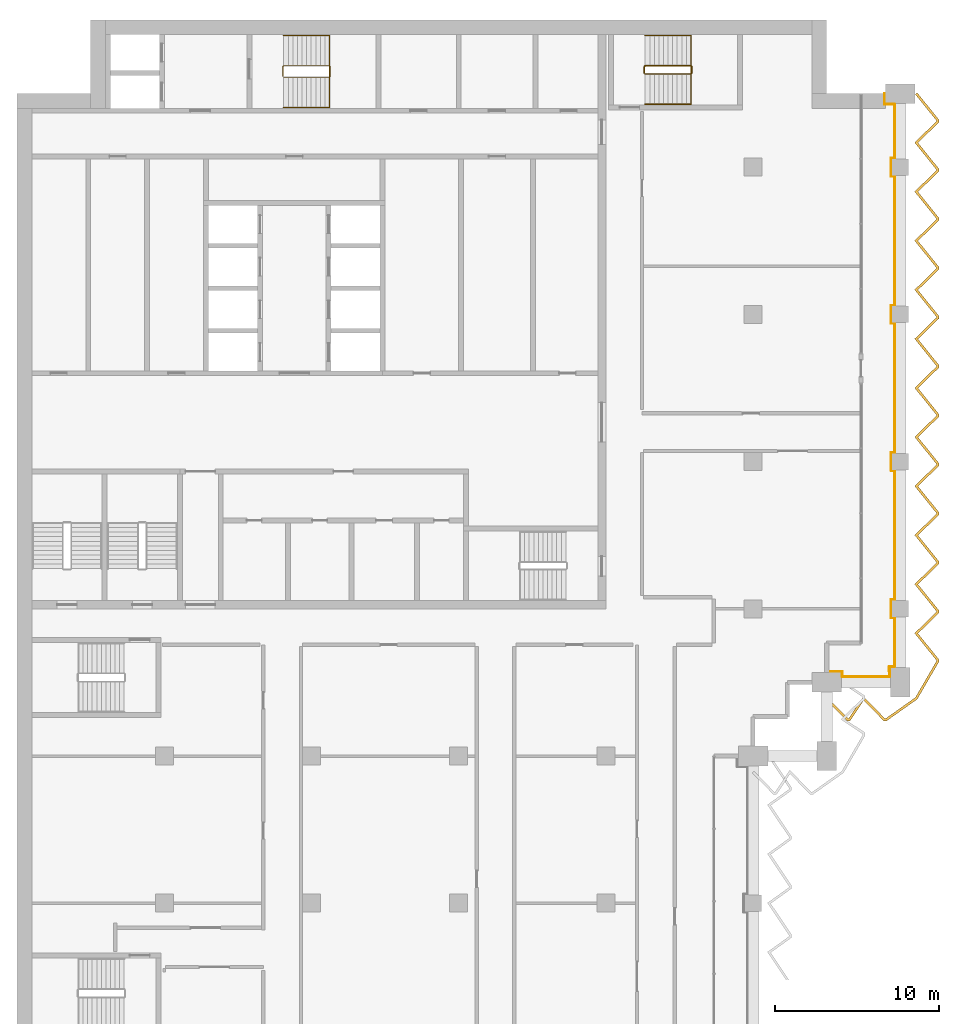
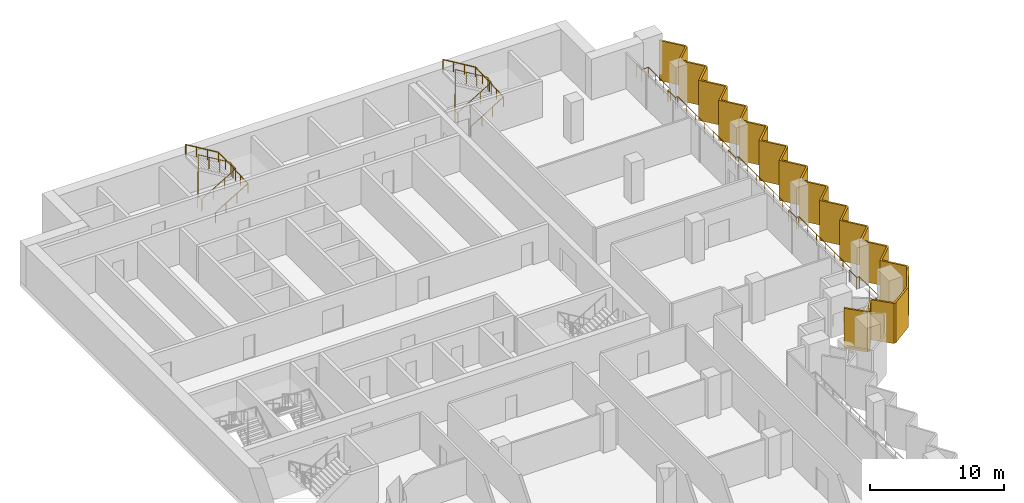
# One storey, part 19 of 19: 5 railings, 1 shading device.
"""IFC4 building model written with IfcOpenShell, lengths in metres."""

import ifcopenshell
import ifcopenshell.guid

model = None  # the IFC model being written
_history = None  # IfcOwnerHistory: only IFC2X3 demands one
_inside = {}  # id of a spatial element -> (the spatial element, [elements in it])
_under = {}  # id of a project, library or spatial element -> (it, [spatial elements below it])
_declared = {}  # id of a project -> (the project, [libraries it declares])
_typed = {}  # id of a type object -> (the type object, [elements of that type])
_made_of = {}  # id of a material, layer set ... -> (it, [elements and type objects made of it])


def new_model(schema):
    """Start an empty IFC model of exactly this schema.

    Asked for "IFC4X3", IfcOpenShell would pick the latest addendum, in which some entities
    have other attributes; the version numbers below select the first issue.
    IFC2X3 requires an IfcOwnerHistory on every rooted entity: one is made here for all.
    """
    global model, _history
    if schema == "IFC4X3":
        model = ifcopenshell.file(schema_version=(4, 3, 0, 0))
    else:
        model = ifcopenshell.file(schema=schema)
    _inside.clear()
    _under.clear()
    _declared.clear()
    _typed.clear()
    _made_of.clear()
    _history = None
    if model.schema == "IFC2X3":
        org = make("IfcOrganization", Name="unknown")
        user = make(
            "IfcPersonAndOrganization",
            ThePerson=make("IfcPerson", FamilyName="unknown"),
            TheOrganization=org,
        )
        app = make(
            "IfcApplication",
            ApplicationDeveloper=org,
            Version="unknown",
            ApplicationFullName="unknown",
            ApplicationIdentifier="unknown",
        )
        _history = make(
            "IfcOwnerHistory",
            OwningUser=user,
            OwningApplication=app,
            ChangeAction="ADDED",
            CreationDate=0,
        )
    return model


def make(cls, **values):
    """One entity of the class cls with the attributes given. An attribute that is None is left unset."""
    return model.create_entity(
        cls, **{name: value for name, value in values.items() if value is not None}
    )


def rooted(cls, **values):
    """An entity with a GlobalId (a new one), such as an element, a storey or a relation."""
    return make(cls, GlobalId=ifcopenshell.guid.new(), OwnerHistory=_history, **values)


def si_unit(unit_type, name, prefix=None):
    """IfcSIUnit, for example si_unit("LENGTHUNIT", "METRE", prefix="MILLI")."""
    return make("IfcSIUnit", UnitType=unit_type, Prefix=prefix, Name=name)


def assignment(units):
    """IfcUnitAssignment: the units of a project."""
    return None if units is None else make("IfcUnitAssignment", Units=units)


def point(xyz):
    """IfcCartesianPoint."""
    return None if xyz is None else make("IfcCartesianPoint", Coordinates=xyz)


def direction(xyz):
    """IfcDirection."""
    return None if xyz is None else make("IfcDirection", DirectionRatios=xyz)


def frame(location, z_axis=None, x_axis=None):
    """IfcAxis2Placement3D, a coordinate frame: its origin and axes. An axis left out is left unset."""
    return make(
        "IfcAxis2Placement3D",
        Location=point(location),
        Axis=direction(z_axis),
        RefDirection=direction(x_axis),
    )


def frame_2d(location, x_axis=None):
    """IfcAxis2Placement2D, a coordinate frame in the plane: its origin and x axis."""
    return make(
        "IfcAxis2Placement2D", Location=point(location), RefDirection=direction(x_axis)
    )


def origin():
    """The frame at (0, 0, 0) with its axes left unset."""
    return frame((0.0, 0.0, 0.0))


def origin_2d():
    """The frame at (0, 0) in the plane with its x axis left unset."""
    return frame_2d((0.0, 0.0))


def place(relative_to, where):
    """IfcLocalPlacement: puts the frame where relative to a parent placement (None: the world)."""
    return make(
        "IfcLocalPlacement", PlacementRelTo=relative_to, RelativePlacement=where
    )


def context(
    kind, dimensions, precision=None, world=None, true_north=None, identifier=None
):
    """IfcGeometricRepresentationContext, for example the 3D "Model" context."""
    return make(
        "IfcGeometricRepresentationContext",
        ContextIdentifier=identifier,
        ContextType=kind,
        CoordinateSpaceDimension=dimensions,
        Precision=precision,
        WorldCoordinateSystem=world,
        TrueNorth=true_north,
    )


def subcontext(parent, identifier, kind, view, scale=None):
    """IfcGeometricRepresentationSubContext, for example "Body" below "Model"."""
    return make(
        "IfcGeometricRepresentationSubContext",
        ContextIdentifier=identifier,
        ContextType=kind,
        ParentContext=parent,
        TargetScale=scale,
        TargetView=view,
    )


def project(units=None, contexts=None):
    """IfcProject with its units and contexts."""
    return rooted(
        "IfcProject",
        Name="project",
        RepresentationContexts=contexts,
        UnitsInContext=assignment(units),
    )


def spatial(cls, under=None, at=None, **own):
    """A site, building, storey or space (cls), placed at a placement, below another one or the project."""
    s = rooted(cls, ObjectPlacement=at, **own)
    if under is not None:
        _under.setdefault(under.id(), (under, []))[1].append(s)
    return s


def polyline(points):
    """IfcPolyline through the points."""
    return make("IfcPolyline", Points=[point(p) for p in points])


def profile(cls, at=None, kind="AREA", **sizes):
    """A parametric profile (cls). Its sizes go by their IFC names, for example OverallWidth=200.0."""
    return make(cls, ProfileType=kind, Position=at, **sizes)


def circle(**sizes):
    """IfcCircleProfileDef."""
    return profile("IfcCircleProfileDef", **sizes)


def outline(outer, holes=None, kind="AREA"):
    """IfcArbitraryClosedProfileDef: a profile drawn as a closed curve; with holes, ...WithVoids."""
    if holes is None:
        return make("IfcArbitraryClosedProfileDef", ProfileType=kind, OuterCurve=outer)
    return make(
        "IfcArbitraryProfileDefWithVoids",
        ProfileType=kind,
        OuterCurve=outer,
        InnerCurves=holes,
    )


def extrude(swept, where, along, depth):
    """IfcExtrudedAreaSolid: the profile swept, set in the frame where, extruded along a direction by depth."""
    return make(
        "IfcExtrudedAreaSolid",
        SweptArea=swept,
        Position=where,
        ExtrudedDirection=direction(along),
        Depth=depth,
    )


def shape(context_of_items, identifier, shape_type, items):
    """IfcShapeRepresentation: the items that make up one representation, for example the "Body"."""
    return make(
        "IfcShapeRepresentation",
        ContextOfItems=context_of_items,
        RepresentationIdentifier=identifier,
        RepresentationType=shape_type,
        Items=items,
    )


def material(Name=None, Category=None):
    """IfcMaterial."""
    return make("IfcMaterial", Name=Name, Category=Category)


def layer(
    of_material, thickness, ventilated=None, Name=None, Category=None, Priority=None
):
    """IfcMaterialLayer: one layer of a wall or slab, of a material (None: an air gap)."""
    return make(
        "IfcMaterialLayer",
        Material=of_material,
        LayerThickness=thickness,
        IsVentilated=ventilated,
        Name=Name,
        Category=Category,
        Priority=Priority,
    )


def layer_set(layers, Name=None):
    """IfcMaterialLayerSet."""
    return make("IfcMaterialLayerSet", MaterialLayers=layers, LayerSetName=Name)


def made_of(thing, what):
    """Note that an element or type object is made of a material, layer set ...; save() writes the relation."""
    if what is not None:
        _made_of.setdefault(what.id(), (what, []))[1].append(thing)
    return thing


def type_object(cls, material=None, **own):
    """A type object (cls), such as IfcWallType, which elements share."""
    return made_of(rooted(cls, **own), material)


def element(
    cls,
    number,
    at=None,
    inside=None,
    cuts=None,
    type_object=None,
    material=None,
    context=None,
    identifier="Body",
    shape_type=None,
    held_by="IfcProductDefinitionShape",
    body=None,
    shapes=None,
    **own,
):
    """One element of the class cls, such as IfcWall. Its Tag is "e" and its number.

    at: its placement. inside: the storey or other place that contains it. cuts: it is an
    opening in that element (IfcRelVoidsElement). A single representation is given by context,
    identifier, shape_type and body (its items); several are given by shapes. held_by: the class
    of the entity that holds the representations. save() writes the other relations.
    """
    e = rooted(cls, Tag="e%d" % number, ObjectPlacement=at, **own)
    if body is not None:
        shapes = [shape(context, identifier, shape_type, body)]
    if shapes is not None:
        e.Representation = make(held_by, Representations=shapes)
    if inside is not None:
        _inside.setdefault(inside.id(), (inside, []))[1].append(e)
    if cuts is not None:
        rooted(
            "IfcRelVoidsElement", RelatingBuildingElement=cuts, RelatedOpeningElement=e
        )
    if type_object is not None:
        _typed.setdefault(type_object.id(), (type_object, []))[1].append(e)
    return made_of(e, material)


def aggregate(whole, parts):
    """IfcRelAggregates: a whole, such as a stair, and the parts it consists of."""
    return rooted("IfcRelAggregates", RelatingObject=whole, RelatedObjects=parts)


def save(model, path):
    """Write the relations noted so far, then the file.

    IfcRelAggregates (storeys below a building ...), IfcRelContainedInSpatialStructure (elements
    in a storey), IfcRelDefinesByType, IfcRelAssociatesMaterial and IfcRelDeclares: one each for
    every whole, place, type object, material and project.
    """
    for whole, parts in _under.values():
        aggregate(whole, parts)
    for where, things in _inside.values():
        rooted(
            "IfcRelContainedInSpatialStructure",
            RelatedElements=things,
            RelatingStructure=where,
        )
    for kind, things in _typed.values():
        rooted("IfcRelDefinesByType", RelatedObjects=things, RelatingType=kind)
    for what, things in _made_of.values():
        rooted("IfcRelAssociatesMaterial", RelatedObjects=things, RelatingMaterial=what)
    for by, libraries in _declared.values():
        rooted("IfcRelDeclares", RelatingContext=by, RelatedDefinitions=libraries)
    model.write(path)


model = new_model("IFC4")

# Units and contexts
model_context = context("Model", 3, precision=1e-05, world=origin(), true_north=direction((0.0, 1.0)))
body_context = subcontext(model_context, "Body", "Model", "MODEL_VIEW")
ifc_project = project(units=[si_unit("LENGTHUNIT", "METRE"), si_unit("AREAUNIT", "SQUARE_METRE"), si_unit("VOLUMEUNIT", "CUBIC_METRE"), si_unit("PLANEANGLEUNIT", "RADIAN"), si_unit("MASSUNIT", "GRAM", prefix="KILO")], contexts=[model_context])

# Site, building, storey
site_placement = place(None, origin())
site = spatial("IfcSite", under=ifc_project, at=site_placement, CompositionType="ELEMENT")
building_placement = place(site_placement, origin())
building = spatial("IfcBuilding", under=site, at=building_placement, Name="Hunhe Ridgeline Campus", CompositionType="ELEMENT")
storey_placement = place(building_placement, frame((0.0, 0.0, 219.800048828125)))
storey = spatial("IfcBuildingStorey", under=building, at=storey_placement, Name="L56", CompositionType="ELEMENT", Elevation=219.800048828125)

# Railing
ifc_material_1 = material(Name="Steel Q355", Category="steel")
railing_type_1 = type_object("IfcRailingType", Name="Loggia guard 1100 Steel Q355", PredefinedType="GUARDRAIL", material=ifc_material_1)
railing_1_placement = place(storey_placement, frame((49.5, 59.169921875, 0.0)))
element("IfcRailing", 1, at=railing_1_placement, inside=storey, type_object=railing_type_1, Name="Loggia guard 2", PredefinedType="GUARDRAIL", context=body_context, shape_type="SweptSolid", body=[
    extrude(circle(Radius=0.02392578125, at=origin_2d()), frame((0.0, 0.0, 1.076171875), z_axis=(1.0, 0.0, 0.0), x_axis=(0.0, 1.0, 0.0)), (0.0, 0.0, 1.0), 0.949951171875),
    extrude(circle(Radius=0.02392578125, at=origin_2d()), frame((0.949951171875, 0.0, 1.076171875), z_axis=(0.0, -1.0, 0.0), x_axis=(1.0, 0.0, 0.0)), (0.0, 0.0, 1.0), 0.31982421875),
    extrude(circle(Radius=0.02392578125, at=origin_2d()), frame((0.949951171875, -0.31982421875, 1.076171875), z_axis=(1.0, 0.0, 0.0), x_axis=(0.0, 1.0, 0.0)), (0.0, 0.0, 1.0), 2.900146484375),
    extrude(circle(Radius=0.02392578125, at=origin_2d()), frame((3.85009765625, -0.31982421875, 1.076171875), z_axis=(0.0, 1.0, 0.0), x_axis=(-1.0, 0.0, 0.0)), (0.0, 0.0, 1.0), 0.619873046875),
    extrude(circle(Radius=0.02392578125, at=origin_2d()), frame((3.85009765625, 0.300048828125, 1.076171875), z_axis=(-0.066572895244, -0.99778156408, 0.0), x_axis=(0.99778156408, -0.066572895244, 0.0)), (0.0, 0.0, 1.0), 0.30078125),
    extrude(circle(Radius=0.02392578125, at=origin_2d()), frame((3.830078125, 0.0, 1.076171875), z_axis=(0.0, 1.0, 0.0), x_axis=(-1.0, 0.0, 0.0)), (0.0, 0.0, 1.0), 0.280029296875),
    extrude(circle(Radius=0.02392578125, at=origin_2d()), frame((3.830078125, 0.280029296875, 1.076171875), z_axis=(1.0, 0.0, 0.0), x_axis=(0.0, 1.0, 0.0)), (0.0, 0.0, 1.0), 0.31982421875),
    extrude(circle(Radius=0.02392578125, at=origin_2d()), frame((4.14990234375, 0.280029296875, 1.076171875), z_axis=(0.0, 1.0, 0.0), x_axis=(-1.0, 0.0, 0.0)), (0.0, 0.0, 1.0), 3.0),
    extrude(circle(Radius=0.02392578125, at=origin_2d()), frame((4.14990234375, 3.280029296875, 1.076171875), z_axis=(-1.0, 0.0, 0.0), x_axis=(0.0, -1.0, 0.0)), (0.0, 0.0, 1.0), 0.219970703125),
    extrude(circle(Radius=0.02392578125, at=origin_2d()), frame((3.929931640625, 3.280029296875, 1.076171875), z_axis=(0.0, 1.0, 0.0), x_axis=(-1.0, 0.0, 0.0)), (0.0, 0.0, 1.0), 1.10009765625),
    extrude(circle(Radius=0.02392578125, at=origin_2d()), frame((3.929931640625, 4.380126953125, 1.076171875), z_axis=(1.0, 0.0, 0.0), x_axis=(0.0, 1.0, 0.0)), (0.0, 0.0, 1.0), 0.219970703125),
    extrude(circle(Radius=0.02392578125, at=origin_2d()), frame((4.14990234375, 4.380126953125, 1.076171875), z_axis=(0.0, 1.0, 0.0), x_axis=(-1.0, 0.0, 0.0)), (0.0, 0.0, 1.0), 7.89990234375),
    extrude(circle(Radius=0.02392578125, at=origin_2d()), frame((4.14990234375, 12.280029296875, 1.076171875), z_axis=(-1.0, 0.0, 0.0), x_axis=(0.0, -1.0, 0.0)), (0.0, 0.0, 1.0), 0.219970703125),
    extrude(circle(Radius=0.02392578125, at=origin_2d()), frame((3.929931640625, 12.280029296875, 1.076171875), z_axis=(0.0, 1.0, 0.0), x_axis=(-1.0, 0.0, 0.0)), (0.0, 0.0, 1.0), 1.10009765625),
    extrude(circle(Radius=0.02392578125, at=origin_2d()), frame((3.929931640625, 13.380126953125, 1.076171875), z_axis=(1.0, 0.0, 0.0), x_axis=(0.0, 1.0, 0.0)), (0.0, 0.0, 1.0), 0.219970703125),
    extrude(circle(Radius=0.02392578125, at=origin_2d()), frame((4.14990234375, 13.380126953125, 1.076171875), z_axis=(0.0, 1.0, 0.0), x_axis=(-1.0, 0.0, 0.0)), (0.0, 0.0, 1.0), 7.89990234375),
    extrude(circle(Radius=0.02392578125, at=origin_2d()), frame((4.14990234375, 21.280029296875, 1.076171875), z_axis=(-1.0, 0.0, 0.0), x_axis=(0.0, -1.0, 0.0)), (0.0, 0.0, 1.0), 0.219970703125),
    extrude(circle(Radius=0.02392578125, at=origin_2d()), frame((3.929931640625, 21.280029296875, 1.076171875), z_axis=(0.0, 1.0, 0.0), x_axis=(-1.0, 0.0, 0.0)), (0.0, 0.0, 1.0), 1.10009765625),
    extrude(circle(Radius=0.02392578125, at=origin_2d()), frame((3.929931640625, 22.380126953125, 1.076171875), z_axis=(1.0, 0.0, 0.0), x_axis=(0.0, 1.0, 0.0)), (0.0, 0.0, 1.0), 0.219970703125),
    extrude(circle(Radius=0.02392578125, at=origin_2d()), frame((4.14990234375, 22.380126953125, 1.076171875), z_axis=(0.0, 1.0, 0.0), x_axis=(-1.0, 0.0, 0.0)), (0.0, 0.0, 1.0), 7.89990234375),
    extrude(circle(Radius=0.02392578125, at=origin_2d()), frame((4.14990234375, 30.280029296875, 1.076171875), z_axis=(-1.0, 0.0, 0.0), x_axis=(0.0, -1.0, 0.0)), (0.0, 0.0, 1.0), 0.219970703125),
    extrude(circle(Radius=0.02392578125, at=origin_2d()), frame((3.929931640625, 30.280029296875, 1.076171875), z_axis=(0.0, 1.0, 0.0), x_axis=(-1.0, 0.0, 0.0)), (0.0, 0.0, 1.0), 1.10009765625),
    extrude(circle(Radius=0.02392578125, at=origin_2d()), frame((3.929931640625, 31.380126953125, 1.076171875), z_axis=(1.0, 0.0, 0.0), x_axis=(0.0, 1.0, 0.0)), (0.0, 0.0, 1.0), 0.219970703125),
    extrude(circle(Radius=0.02392578125, at=origin_2d()), frame((4.14990234375, 31.380126953125, 1.076171875), z_axis=(0.0, 1.0, 0.0), x_axis=(-1.0, 0.0, 0.0)), (0.0, 0.0, 1.0), 3.300048828125),
    extrude(circle(Radius=0.02392578125, at=origin_2d()), frame((4.14990234375, 34.68017578125, 1.076171875), z_axis=(-1.0, 0.0, 0.0), x_axis=(0.0, -1.0, 0.0)), (0.0, 0.0, 1.0), 0.619873046875),
    extrude(circle(Radius=0.02392578125, at=origin_2d()), frame((3.530029296875, 34.68017578125, 1.076171875), z_axis=(0.0, 1.0, 0.0), x_axis=(-1.0, 0.0, 0.0)), (0.0, 0.0, 1.0), 0.64990234375),
    extrude(circle(Radius=0.02099609375, at=origin_2d()), origin(), (0.0, 0.0, 1.0), 1.052001953125),
    extrude(circle(Radius=0.02099609375, at=origin_2d()), frame((0.949951171875, 0.0, 0.0)), (0.0, 0.0, 1.0), 1.052001953125),
    extrude(circle(Radius=0.02099609375, at=origin_2d()), frame((0.949951171875, -0.31982421875, 0.0)), (0.0, 0.0, 1.0), 1.052001953125),
    extrude(circle(Radius=0.02099609375, at=origin_2d()), frame((2.39990234375, -0.31982421875, 0.0)), (0.0, 0.0, 1.0), 1.052001953125),
    extrude(circle(Radius=0.02099609375, at=origin_2d()), frame((3.85009765625, -0.31982421875, 0.0)), (0.0, 0.0, 1.0), 1.052001953125),
    extrude(circle(Radius=0.02099609375, at=origin_2d()), frame((3.85009765625, 0.300048828125, 0.0)), (0.0, 0.0, 1.0), 1.052001953125),
    extrude(circle(Radius=0.02099609375, at=origin_2d()), frame((3.830078125, 0.0, 0.0)), (0.0, 0.0, 1.0), 1.052001953125),
    extrude(circle(Radius=0.02099609375, at=origin_2d()), frame((3.830078125, 0.280029296875, 0.0)), (0.0, 0.0, 1.0), 1.052001953125),
    extrude(circle(Radius=0.02099609375, at=origin_2d()), frame((4.14990234375, 0.280029296875, 0.0)), (0.0, 0.0, 1.0), 1.052001953125),
    extrude(circle(Radius=0.02099609375, at=origin_2d()), frame((4.14990234375, 1.780029296875, 0.0)), (0.0, 0.0, 1.0), 1.052001953125),
    extrude(circle(Radius=0.02099609375, at=origin_2d()), frame((4.14990234375, 3.280029296875, 0.0)), (0.0, 0.0, 1.0), 1.052001953125),
    extrude(circle(Radius=0.02099609375, at=origin_2d()), frame((3.929931640625, 3.280029296875, 0.0)), (0.0, 0.0, 1.0), 1.052001953125),
    extrude(circle(Radius=0.02099609375, at=origin_2d()), frame((3.929931640625, 4.380126953125, 0.0)), (0.0, 0.0, 1.0), 1.052001953125),
    extrude(circle(Radius=0.02099609375, at=origin_2d()), frame((4.14990234375, 4.380126953125, 0.0)), (0.0, 0.0, 1.0), 1.052001953125),
    extrude(circle(Radius=0.02099609375, at=origin_2d()), frame((4.14990234375, 5.69677734375, 0.0)), (0.0, 0.0, 1.0), 1.052001953125),
    extrude(circle(Radius=0.02099609375, at=origin_2d()), frame((4.14990234375, 7.013427734375, 0.0)), (0.0, 0.0, 1.0), 1.052001953125),
    extrude(circle(Radius=0.02099609375, at=origin_2d()), frame((4.14990234375, 8.330078125, 0.0)), (0.0, 0.0, 1.0), 1.052001953125),
    extrude(circle(Radius=0.02099609375, at=origin_2d()), frame((4.14990234375, 9.646728515625, 0.0)), (0.0, 0.0, 1.0), 1.052001953125),
    extrude(circle(Radius=0.02099609375, at=origin_2d()), frame((4.14990234375, 10.96337890625, 0.0)), (0.0, 0.0, 1.0), 1.052001953125),
    extrude(circle(Radius=0.02099609375, at=origin_2d()), frame((4.14990234375, 12.280029296875, 0.0)), (0.0, 0.0, 1.0), 1.052001953125),
    extrude(circle(Radius=0.02099609375, at=origin_2d()), frame((3.929931640625, 12.280029296875, 0.0)), (0.0, 0.0, 1.0), 1.052001953125),
    extrude(circle(Radius=0.02099609375, at=origin_2d()), frame((3.929931640625, 13.380126953125, 0.0)), (0.0, 0.0, 1.0), 1.052001953125),
    extrude(circle(Radius=0.02099609375, at=origin_2d()), frame((4.14990234375, 13.380126953125, 0.0)), (0.0, 0.0, 1.0), 1.052001953125),
    extrude(circle(Radius=0.02099609375, at=origin_2d()), frame((4.14990234375, 14.69677734375, 0.0)), (0.0, 0.0, 1.0), 1.052001953125),
    extrude(circle(Radius=0.02099609375, at=origin_2d()), frame((4.14990234375, 16.013427734375, 0.0)), (0.0, 0.0, 1.0), 1.052001953125),
    extrude(circle(Radius=0.02099609375, at=origin_2d()), frame((4.14990234375, 17.330078125, 0.0)), (0.0, 0.0, 1.0), 1.052001953125),
    extrude(circle(Radius=0.02099609375, at=origin_2d()), frame((4.14990234375, 18.646728515625, 0.0)), (0.0, 0.0, 1.0), 1.052001953125),
    extrude(circle(Radius=0.02099609375, at=origin_2d()), frame((4.14990234375, 19.96337890625, 0.0)), (0.0, 0.0, 1.0), 1.052001953125),
    extrude(circle(Radius=0.02099609375, at=origin_2d()), frame((4.14990234375, 21.280029296875, 0.0)), (0.0, 0.0, 1.0), 1.052001953125),
    extrude(circle(Radius=0.02099609375, at=origin_2d()), frame((3.929931640625, 21.280029296875, 0.0)), (0.0, 0.0, 1.0), 1.052001953125),
    extrude(circle(Radius=0.02099609375, at=origin_2d()), frame((3.929931640625, 22.380126953125, 0.0)), (0.0, 0.0, 1.0), 1.052001953125),
    extrude(circle(Radius=0.02099609375, at=origin_2d()), frame((4.14990234375, 22.380126953125, 0.0)), (0.0, 0.0, 1.0), 1.052001953125),
    extrude(circle(Radius=0.02099609375, at=origin_2d()), frame((4.14990234375, 23.69677734375, 0.0)), (0.0, 0.0, 1.0), 1.052001953125),
    extrude(circle(Radius=0.02099609375, at=origin_2d()), frame((4.14990234375, 25.013427734375, 0.0)), (0.0, 0.0, 1.0), 1.052001953125),
    extrude(circle(Radius=0.02099609375, at=origin_2d()), frame((4.14990234375, 26.330078125, 0.0)), (0.0, 0.0, 1.0), 1.052001953125),
    extrude(circle(Radius=0.02099609375, at=origin_2d()), frame((4.14990234375, 27.646728515625, 0.0)), (0.0, 0.0, 1.0), 1.052001953125),
    extrude(circle(Radius=0.02099609375, at=origin_2d()), frame((4.14990234375, 28.96337890625, 0.0)), (0.0, 0.0, 1.0), 1.052001953125),
    extrude(circle(Radius=0.02099609375, at=origin_2d()), frame((4.14990234375, 30.280029296875, 0.0)), (0.0, 0.0, 1.0), 1.052001953125),
    extrude(circle(Radius=0.02099609375, at=origin_2d()), frame((3.929931640625, 30.280029296875, 0.0)), (0.0, 0.0, 1.0), 1.052001953125),
    extrude(circle(Radius=0.02099609375, at=origin_2d()), frame((3.929931640625, 31.380126953125, 0.0)), (0.0, 0.0, 1.0), 1.052001953125),
    extrude(circle(Radius=0.02099609375, at=origin_2d()), frame((4.14990234375, 31.380126953125, 0.0)), (0.0, 0.0, 1.0), 1.052001953125),
    extrude(circle(Radius=0.02099609375, at=origin_2d()), frame((4.14990234375, 32.480224609375, 0.0)), (0.0, 0.0, 1.0), 1.052001953125),
    extrude(circle(Radius=0.02099609375, at=origin_2d()), frame((4.14990234375, 33.580078125, 0.0)), (0.0, 0.0, 1.0), 1.052001953125),
    extrude(circle(Radius=0.02099609375, at=origin_2d()), frame((4.14990234375, 34.68017578125, 0.0)), (0.0, 0.0, 1.0), 1.052001953125),
    extrude(circle(Radius=0.02099609375, at=origin_2d()), frame((3.530029296875, 34.68017578125, 0.0)), (0.0, 0.0, 1.0), 1.052001953125),
    extrude(circle(Radius=0.02099609375, at=origin_2d()), frame((3.530029296875, 35.330078125, 0.0)), (0.0, 0.0, 1.0), 1.052001953125),
])

# Shading device
ifc_material_2 = material(Name="Concrete C50", Category="concrete")
ifc_layer = layer(ifc_material_2, 0.14990234375)
ifc_layer_set = layer_set([ifc_layer], Name="Sawtooth concrete fin 150 Concrete C50")
shading_device_type = type_object("IfcShadingDeviceType", Name="Sawtooth concrete fin 150 Concrete C50", PredefinedType="USERDEFINED", material=ifc_layer_set)
shading_device_placement = place(storey_placement, frame((0.0, 0.0, -0.949951171875)))
element("IfcShadingDevice", 2, at=shading_device_placement, inside=storey, type_object=shading_device_type, Name="Concrete fin screen 3", ObjectType="FIN", PredefinedType="USERDEFINED", context=body_context, shape_type="SweptSolid", body=[
    extrude(outline(polyline([(49.5537109375, 57.577392578125), (49.4462890625, 57.47265625), (50.73583984375, 56.14990234375), (50.927734375, 56.14990234375), (51.76123046875, 57.40625), (52.98583984375, 56.14990234375), (53.161376953125, 56.14990234375), (55.03173828125, 57.47314453125), (56.35009765625, 59.747314453125), (56.35009765625, 59.9140625), (55.076171875, 61.493896484375), (56.35009765625, 62.73583984375), (56.35009765625, 62.9140625), (55.076171875, 64.493896484375), (56.35009765625, 65.73583984375), (56.35009765625, 65.9140625), (55.076171875, 67.493896484375), (56.35009765625, 68.73583984375), (56.35009765625, 68.9140625), (55.076171875, 70.493896484375), (56.35009765625, 71.73583984375), (56.35009765625, 71.9140625), (55.076171875, 73.493896484375), (56.35009765625, 74.73583984375), (56.35009765625, 74.9140625), (55.076171875, 76.493896484375), (56.35009765625, 77.73583984375), (56.35009765625, 77.9140625), (55.076171875, 79.493896484375), (56.35009765625, 80.73583984375), (56.35009765625, 80.9140625), (55.076171875, 82.493896484375), (56.35009765625, 83.73583984375), (56.35009765625, 83.9140625), (55.076171875, 85.493896484375), (56.35009765625, 86.73583984375), (56.35009765625, 86.9140625), (55.076171875, 88.493896484375), (56.35009765625, 89.73583984375), (56.35009765625, 89.9140625), (55.076171875, 91.493896484375), (56.35009765625, 92.73583984375), (56.35009765625, 92.9140625), (55.033447265625, 94.547119140625), (54.91650390625, 94.452880859375), (56.199951171875, 92.861083984375), (56.199951171875, 92.799072265625), (54.873779296875, 91.506103515625), (56.199951171875, 89.861083984375), (56.199951171875, 89.799072265625), (54.873779296875, 88.506103515625), (56.199951171875, 86.861083984375), (56.199951171875, 86.799072265625), (54.873779296875, 85.506103515625), (56.199951171875, 83.861083984375), (56.199951171875, 83.799072265625), (54.873779296875, 82.506103515625), (56.199951171875, 80.861083984375), (56.199951171875, 80.799072265625), (54.873779296875, 79.506103515625), (56.199951171875, 77.861083984375), (56.199951171875, 77.799072265625), (54.873779296875, 76.506103515625), (56.199951171875, 74.861083984375), (56.199951171875, 74.799072265625), (54.873779296875, 73.506103515625), (56.199951171875, 71.861083984375), (56.199951171875, 71.799072265625), (54.873779296875, 70.506103515625), (56.199951171875, 68.861083984375), (56.199951171875, 68.799072265625), (54.873779296875, 67.506103515625), (56.199951171875, 65.861083984375), (56.199951171875, 65.799072265625), (54.873779296875, 64.506103515625), (56.199951171875, 62.861083984375), (56.199951171875, 62.799072265625), (54.873779296875, 61.506103515625), (56.199951171875, 59.861083984375), (56.199951171875, 59.78759765625), (54.918212890625, 57.57666015625), (53.11376953125, 56.300048828125), (53.049072265625, 56.300048828125), (51.73876953125, 57.643798828125), (50.84716796875, 56.300048828125), (50.799072265625, 56.300048828125), (49.5537109375, 57.577392578125)])), origin(), (0.0, 0.0, 1.0), 3.64990234375),
])

# Railings
ifc_material_3 = material(Name="Stainless steel balustrade", Category="steel")
railing_type_2 = type_object("IfcRailingType", Name="Stair guard 1100 stainless", PredefinedType="GUARDRAIL", material=ifc_material_3)
railing_2_placement = place(storey_placement, frame((16.300048828125, 95.5, 0.168212890625)))
element("IfcRailing", 3, at=railing_2_placement, inside=storey, type_object=railing_type_2, Name="L56 stair S1 guard", PredefinedType="GUARDRAIL", context=body_context, shape_type="SweptSolid", body=[
    extrude(circle(Radius=0.02392578125, at=origin_2d()), frame((0.0, 0.0, 1.076171875), z_axis=(0.857275202839, 0.0, 0.514858452973), x_axis=(0.0, 1.0, 0.0)), (0.0, 0.0, 1.0), 3.26611328125),
    extrude(circle(Radius=0.02392578125, at=origin_2d()), frame((2.800048828125, 0.0, 2.7578125), z_axis=(0.705375805398, 0.708833529934, 0.0), x_axis=(-0.708833529934, 0.705375805398, 0.0)), (0.0, 0.0, 1.0), 0.070556640625),
    extrude(circle(Radius=0.02392578125, at=origin_2d()), frame((2.849853515625, 0.050048828125, 2.7578125), z_axis=(0.0, 1.0, 0.0), x_axis=(-1.0, 0.0, 0.0)), (0.0, 0.0, 1.0), 0.599853515625),
    extrude(circle(Radius=0.02392578125, at=origin_2d()), frame((2.849853515625, 0.64990234375, 2.7578125), z_axis=(-0.273006030465, 0.27434429532, 0.922064485248), x_axis=(-0.708833529934, -0.705375805398, 0.0)), (0.0, 0.0, 1.0), 0.182373046875),
    extrude(circle(Radius=0.02392578125, at=origin_2d()), frame((2.800048828125, 0.699951171875, 2.92578125), z_axis=(-0.857242210791, 0.0, 0.514913383045), x_axis=(0.0, -1.0, 0.0)), (0.0, 0.0, 1.0), 3.266357421875),
    extrude(circle(Radius=0.02392578125, at=origin_2d()), frame((0.0, 0.699951171875, 4.60791015625), z_axis=(-0.013524414389, -0.013524414389, -0.999817073484), x_axis=(0.707106781187, -0.707106781187, 0.0)), (0.0, 0.0, 1.0), 3.70068359375),
    extrude(circle(Radius=0.02392578125, at=origin_2d()), frame((-0.050048828125, 0.64990234375, 0.90771484375), z_axis=(0.0, -1.0, 0.0), x_axis=(1.0, 0.0, 0.0)), (0.0, 0.0, 1.0), 0.599853515625),
    extrude(circle(Radius=0.02099609375, at=origin_2d()), origin(), (0.0, 0.0, 1.0), 1.052001953125),
    extrude(circle(Radius=0.02099609375, at=origin_2d()), frame((0.933349609375, 0.0, 0.560546875)), (0.0, 0.0, 1.0), 1.052001953125),
    extrude(circle(Radius=0.02099609375, at=origin_2d()), frame((1.86669921875, 0.0, 1.12109375)), (0.0, 0.0, 1.0), 1.052001953125),
    extrude(circle(Radius=0.02099609375, at=origin_2d()), frame((2.800048828125, 0.0, 1.681640625)), (0.0, 0.0, 1.0), 1.052001953125),
    extrude(circle(Radius=0.02099609375, at=origin_2d()), frame((2.849853515625, 0.050048828125, 1.681640625)), (0.0, 0.0, 1.0), 1.052001953125),
    extrude(circle(Radius=0.02099609375, at=origin_2d()), frame((2.849853515625, 0.64990234375, 1.681640625)), (0.0, 0.0, 1.0), 1.052001953125),
    extrude(circle(Radius=0.02099609375, at=origin_2d()), frame((2.800048828125, 0.699951171875, 1.849853515625)), (0.0, 0.0, 1.0), 1.052001953125),
    extrude(circle(Radius=0.02099609375, at=origin_2d()), frame((1.86669921875, 0.699951171875, 2.410400390625)), (0.0, 0.0, 1.0), 1.052001953125),
    extrude(circle(Radius=0.02099609375, at=origin_2d()), frame((0.933349609375, 0.699951171875, 2.97119140625)), (0.0, 0.0, 1.0), 1.052001953125),
    extrude(circle(Radius=0.02099609375, at=origin_2d()), frame((0.0, 0.699951171875, 3.53173828125)), (0.0, 0.0, 1.0), 1.052001953125),
    extrude(circle(Radius=0.02099609375, at=origin_2d()), frame((-0.012451171875, 0.6875, 2.606689453125)), (0.0, 0.0, 1.0), 1.052001953125),
    extrude(circle(Radius=0.02099609375, at=origin_2d()), frame((-0.02490234375, 0.6748046875, 1.681640625)), (0.0, 0.0, 1.0), 1.052001953125),
    extrude(circle(Radius=0.02099609375, at=origin_2d()), frame((-0.03759765625, 0.662353515625, 0.7568359375)), (0.0, 0.0, 1.0), 1.052001953125),
    extrude(circle(Radius=0.02099609375, at=origin_2d()), frame((-0.050048828125, 0.64990234375, -0.168212890625)), (0.0, 0.0, 1.0), 1.052001953125),
    extrude(circle(Radius=0.02099609375, at=origin_2d()), frame((-0.050048828125, 0.050048828125, -0.168212890625)), (0.0, 0.0, 1.0), 1.052001953125),
])
railing_3_placement = place(storey_placement, frame((38.39990234375, 95.699951171875, 0.168212890625)))
element("IfcRailing", 4, at=railing_3_placement, inside=storey, type_object=railing_type_2, Name="L56 stair E1 guard", PredefinedType="GUARDRAIL", context=body_context, shape_type="SweptSolid", body=[
    extrude(circle(Radius=0.02392578125, at=origin_2d()), frame((0.0, 0.0, 1.076171875), z_axis=(0.857275202839, 0.0, 0.514858452973), x_axis=(0.0, 1.0, 0.0)), (0.0, 0.0, 1.0), 3.26611328125),
    extrude(circle(Radius=0.02392578125, at=origin_2d()), frame((2.800048828125, 0.0, 2.7578125), z_axis=(0.707106781187, 0.707106781187, 0.0), x_axis=(-0.707106781187, 0.707106781187, 0.0)), (0.0, 0.0, 1.0), 0.07080078125),
    extrude(circle(Radius=0.02392578125, at=origin_2d()), frame((2.85009765625, 0.050048828125, 2.7578125), z_axis=(0.0, 1.0, 0.0), x_axis=(-1.0, 0.0, 0.0)), (0.0, 0.0, 1.0), 0.39990234375),
    extrude(circle(Radius=0.02392578125, at=origin_2d()), frame((2.85009765625, 0.449951171875, 2.7578125), z_axis=(-0.274243871929, 0.274243871929, 0.92172696468), x_axis=(-0.707106781187, -0.707106781187, 0.0)), (0.0, 0.0, 1.0), 0.1826171875),
    extrude(circle(Radius=0.02392578125, at=origin_2d()), frame((2.800048828125, 0.5, 2.92578125), z_axis=(-0.857242210791, 0.0, 0.514913383045), x_axis=(0.0, -1.0, 0.0)), (0.0, 0.0, 1.0), 3.266357421875),
    extrude(circle(Radius=0.02392578125, at=origin_2d()), frame((0.0, 0.5, 4.60791015625), z_axis=(-0.013458453615, -0.013524426427, -0.999817963389), x_axis=(0.708833529934, -0.705375805398, 0.0)), (0.0, 0.0, 1.0), 3.70068359375),
    extrude(circle(Radius=0.02392578125, at=origin_2d()), frame((-0.0498046875, 0.449951171875, 0.90771484375), z_axis=(0.0, -1.0, 0.0), x_axis=(1.0, 0.0, 0.0)), (0.0, 0.0, 1.0), 0.39990234375),
    extrude(circle(Radius=0.02099609375, at=origin_2d()), origin(), (0.0, 0.0, 1.0), 1.052001953125),
    extrude(circle(Radius=0.02099609375, at=origin_2d()), frame((0.933349609375, 0.0, 0.560546875)), (0.0, 0.0, 1.0), 1.052001953125),
    extrude(circle(Radius=0.02099609375, at=origin_2d()), frame((1.86669921875, 0.0, 1.12109375)), (0.0, 0.0, 1.0), 1.052001953125),
    extrude(circle(Radius=0.02099609375, at=origin_2d()), frame((2.800048828125, 0.0, 1.681640625)), (0.0, 0.0, 1.0), 1.052001953125),
    extrude(circle(Radius=0.02099609375, at=origin_2d()), frame((2.85009765625, 0.050048828125, 1.681640625)), (0.0, 0.0, 1.0), 1.052001953125),
    extrude(circle(Radius=0.02099609375, at=origin_2d()), frame((2.85009765625, 0.449951171875, 1.681640625)), (0.0, 0.0, 1.0), 1.052001953125),
    extrude(circle(Radius=0.02099609375, at=origin_2d()), frame((2.800048828125, 0.5, 1.849853515625)), (0.0, 0.0, 1.0), 1.052001953125),
    extrude(circle(Radius=0.02099609375, at=origin_2d()), frame((1.86669921875, 0.5, 2.410400390625)), (0.0, 0.0, 1.0), 1.052001953125),
    extrude(circle(Radius=0.02099609375, at=origin_2d()), frame((0.933349609375, 0.5, 2.97119140625)), (0.0, 0.0, 1.0), 1.052001953125),
    extrude(circle(Radius=0.02099609375, at=origin_2d()), frame((0.0, 0.5, 3.53173828125)), (0.0, 0.0, 1.0), 1.052001953125),
    extrude(circle(Radius=0.02099609375, at=origin_2d()), frame((-0.012451171875, 0.487548828125, 2.606689453125)), (0.0, 0.0, 1.0), 1.052001953125),
    extrude(circle(Radius=0.02099609375, at=origin_2d()), frame((-0.02490234375, 0.47509765625, 1.681640625)), (0.0, 0.0, 1.0), 1.052001953125),
    extrude(circle(Radius=0.02099609375, at=origin_2d()), frame((-0.037353515625, 0.46240234375, 0.7568359375)), (0.0, 0.0, 1.0), 1.052001953125),
    extrude(circle(Radius=0.02099609375, at=origin_2d()), frame((-0.0498046875, 0.449951171875, -0.168212890625)), (0.0, 0.0, 1.0), 1.052001953125),
    extrude(circle(Radius=0.02099609375, at=origin_2d()), frame((-0.0498046875, 0.050048828125, -0.168212890625)), (0.0, 0.0, 1.0), 1.052001953125),
])
ifc_material_4 = material(Name="Stainless steel handrail", Category="steel")
railing_type_3 = type_object("IfcRailingType", Name="Stair handrail 900 stainless", PredefinedType="HANDRAIL", material=ifc_material_4)
railing_4_placement = place(storey_placement, frame((16.300048828125, 93.64990234375, 0.168212890625)))
element("IfcRailing", 5, at=railing_4_placement, inside=storey, type_object=railing_type_3, Name="L56 stair S1 handrail", PredefinedType="HANDRAIL", context=body_context, shape_type="SweptSolid", body=[
    extrude(circle(Radius=0.02392578125, at=origin_2d()), frame((0.0, 0.0, 0.8759765625), z_axis=(0.857275202839, 0.0, 0.514858452973), x_axis=(0.0, 1.0, 0.0)), (0.0, 0.0, 1.0), 3.26611328125),
    extrude(circle(Radius=0.02392578125, at=origin_2d()), frame((2.800048828125, 0.0, 2.5576171875), z_axis=(0.0, 0.999270074432, 0.038201025428), x_axis=(-1.0, 0.0, 0.0)), (0.0, 0.0, 1.0), 4.4033203125),
    extrude(circle(Radius=0.02392578125, at=origin_2d()), frame((2.800048828125, 4.400146484375, 2.7255859375), z_axis=(-0.857242210791, 0.0, 0.514913383045), x_axis=(0.0, -1.0, 0.0)), (0.0, 0.0, 1.0), 3.266357421875),
    extrude(circle(Radius=0.02099609375, at=origin_2d()), origin(), (0.0, 0.0, 1.0), 0.851806640625),
    extrude(circle(Radius=0.02099609375, at=origin_2d()), frame((0.933349609375, 0.0, 0.560546875)), (0.0, 0.0, 1.0), 0.851806640625),
    extrude(circle(Radius=0.02099609375, at=origin_2d()), frame((1.86669921875, 0.0, 1.12109375)), (0.0, 0.0, 1.0), 0.851806640625),
    extrude(circle(Radius=0.02099609375, at=origin_2d()), frame((2.800048828125, 0.0, 1.681640625)), (0.0, 0.0, 1.0), 0.851806640625),
    extrude(circle(Radius=0.02099609375, at=origin_2d()), frame((2.800048828125, 1.10009765625, 1.7236328125)), (0.0, 0.0, 1.0), 0.851806640625),
    extrude(circle(Radius=0.02099609375, at=origin_2d()), frame((2.800048828125, 2.2001953125, 1.765625)), (0.0, 0.0, 1.0), 0.851806640625),
    extrude(circle(Radius=0.02099609375, at=origin_2d()), frame((2.800048828125, 3.300048828125, 1.807861328125)), (0.0, 0.0, 1.0), 0.851806640625),
    extrude(circle(Radius=0.02099609375, at=origin_2d()), frame((2.800048828125, 4.400146484375, 1.849853515625)), (0.0, 0.0, 1.0), 0.851806640625),
    extrude(circle(Radius=0.02099609375, at=origin_2d()), frame((1.86669921875, 4.400146484375, 2.410400390625)), (0.0, 0.0, 1.0), 0.851806640625),
    extrude(circle(Radius=0.02099609375, at=origin_2d()), frame((0.933349609375, 4.400146484375, 2.97119140625)), (0.0, 0.0, 1.0), 0.851806640625),
    extrude(circle(Radius=0.02099609375, at=origin_2d()), frame((0.0, 4.400146484375, 3.53173828125)), (0.0, 0.0, 1.0), 0.851806640625),
])
railing_5_placement = place(storey_placement, frame((38.39990234375, 93.85009765625, 0.168212890625)))
element("IfcRailing", 6, at=railing_5_placement, inside=storey, type_object=railing_type_3, Name="L56 stair E1 handrail", PredefinedType="HANDRAIL", context=body_context, shape_type="SweptSolid", body=[
    extrude(circle(Radius=0.02392578125, at=origin_2d()), frame((0.0, 0.0, 0.8759765625), z_axis=(0.857275202839, 0.0, 0.514858452973), x_axis=(0.0, 1.0, 0.0)), (0.0, 0.0, 1.0), 3.26611328125),
    extrude(circle(Radius=0.02392578125, at=origin_2d()), frame((2.800048828125, 0.0, 2.5576171875), z_axis=(0.0, 0.999198916169, 0.040019069537), x_axis=(-1.0, 0.0, 0.0)), (0.0, 0.0, 1.0), 4.203369140625),
    extrude(circle(Radius=0.02392578125, at=origin_2d()), frame((2.800048828125, 4.199951171875, 2.7255859375), z_axis=(-0.857242210791, 0.0, 0.514913383045), x_axis=(0.0, -1.0, 0.0)), (0.0, 0.0, 1.0), 3.266357421875),
    extrude(circle(Radius=0.02099609375, at=origin_2d()), origin(), (0.0, 0.0, 1.0), 0.851806640625),
    extrude(circle(Radius=0.02099609375, at=origin_2d()), frame((0.933349609375, 0.0, 0.560546875)), (0.0, 0.0, 1.0), 0.851806640625),
    extrude(circle(Radius=0.02099609375, at=origin_2d()), frame((1.86669921875, 0.0, 1.12109375)), (0.0, 0.0, 1.0), 0.851806640625),
    extrude(circle(Radius=0.02099609375, at=origin_2d()), frame((2.800048828125, 0.0, 1.681640625)), (0.0, 0.0, 1.0), 0.851806640625),
    extrude(circle(Radius=0.02099609375, at=origin_2d()), frame((2.800048828125, 1.050048828125, 1.7236328125)), (0.0, 0.0, 1.0), 0.851806640625),
    extrude(circle(Radius=0.02099609375, at=origin_2d()), frame((2.800048828125, 2.10009765625, 1.765625)), (0.0, 0.0, 1.0), 0.851806640625),
    extrude(circle(Radius=0.02099609375, at=origin_2d()), frame((2.800048828125, 3.14990234375, 1.807861328125)), (0.0, 0.0, 1.0), 0.851806640625),
    extrude(circle(Radius=0.02099609375, at=origin_2d()), frame((2.800048828125, 4.199951171875, 1.849853515625)), (0.0, 0.0, 1.0), 0.851806640625),
    extrude(circle(Radius=0.02099609375, at=origin_2d()), frame((1.86669921875, 4.199951171875, 2.410400390625)), (0.0, 0.0, 1.0), 0.851806640625),
    extrude(circle(Radius=0.02099609375, at=origin_2d()), frame((0.933349609375, 4.199951171875, 2.97119140625)), (0.0, 0.0, 1.0), 0.851806640625),
    extrude(circle(Radius=0.02099609375, at=origin_2d()), frame((0.0, 4.199951171875, 3.53173828125)), (0.0, 0.0, 1.0), 0.851806640625),
])

save(model, "model.ifc")
